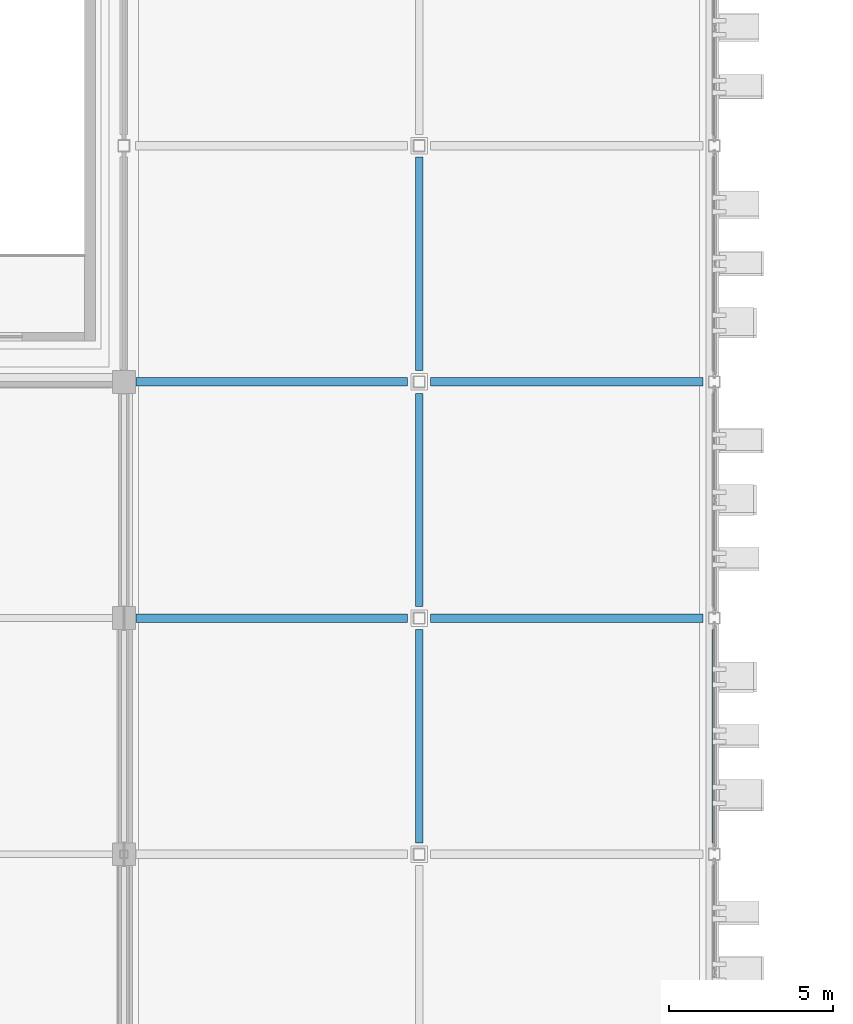
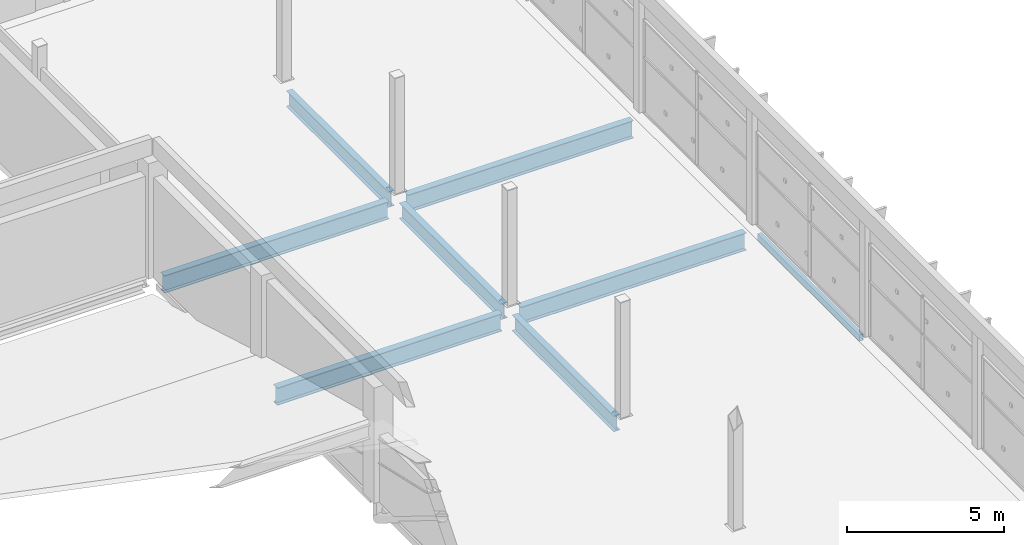
# One storey, part 53 of 124: 8 beams.
"""IFC4 building model written with IfcOpenShell, lengths in metres."""

from ifc_helpers import new_model, si_unit, direction, frame, origin, origin_2d, place, context, subcontext, project, spatial, hollow_rectangle, i_section, extrude, material, material_profile, profile_set, type_object, element, save


model = new_model("IFC4")

# Units and contexts
model_context = context("Model", 3, precision=1e-05, world=origin(), true_north=direction((0.0, 1.0)))
body_context = subcontext(model_context, "Body", "Model", "MODEL_VIEW")
ifc_project = project(units=[si_unit("LENGTHUNIT", "METRE"), si_unit("AREAUNIT", "SQUARE_METRE"), si_unit("VOLUMEUNIT", "CUBIC_METRE"), si_unit("PLANEANGLEUNIT", "RADIAN"), si_unit("MASSUNIT", "GRAM", prefix="KILO")], contexts=[model_context])

# Site, building, storey
site_placement = place(None, origin())
site = spatial("IfcSite", under=ifc_project, at=site_placement, CompositionType="ELEMENT")
building_placement = place(site_placement, origin())
building = spatial("IfcBuilding", under=site, at=building_placement, Name="Celestram Park Convention Centre", CompositionType="ELEMENT")
storey_placement = place(building_placement, frame((0.0, 0.0, 15.300048828125)))
storey = spatial("IfcBuildingStorey", under=building, at=storey_placement, Name="L03", CompositionType="ELEMENT", Elevation=15.300048828125)

# Beams
ifc_material_1 = material(Name="Steel ASTM A992 Grade 50", Category="steel")
ifc_material_profile_1 = material_profile(ifc_material_1, i_section(OverallWidth=0.22900390625, OverallDepth=0.612060546875, WebThickness=0.011962890625, FlangeThickness=0.01953125, at=origin_2d()), Name="W24X84")
ifc_profile_set_1 = profile_set([ifc_material_profile_1], Name="Steel ASTM A992 Grade 50")
beam_type_1 = type_object("IfcBeamType", Name="STR-BM-W24X84", PredefinedType="BEAM", material=ifc_profile_set_1)
beam_1_placement = place(storey_placement, frame((135.0, 93.947998046875, -0.55615234375), z_axis=(0.0, 1.0, 0.0), x_axis=(-1.0, 0.0, 0.0)))
element("IfcBeam", 1, at=beam_1_placement, inside=storey, type_object=beam_type_1, Name="Primary Y-girder BG-L03-0197", PredefinedType="BEAM", context=body_context, shape_type="SweptSolid", body=[
    extrude(i_section(OverallWidth=0.22900390625, OverallDepth=0.612060546875, WebThickness=0.011962890625, FlangeThickness=0.01953125, at=origin_2d()), origin(), (0.0, 0.0, 1.0), 6.50390625),
])
for number, where, z_axis, x_axis, name in (
    (2, (135.0, 101.14794921875, -0.55615234375), (0.0, 1.0, 0.0), (-1.0, 0.0, 0.0), "Primary Y-girder BG-L03-0199"),
    (3, (135.0, 108.347900390625, -0.55615234375), (0.0, 1.0, 0.0), (-1.0, 0.0, 0.0), "Primary Y-girder BG-L03-0201"),
):
    element("IfcBeam", number, at=place(storey_placement, frame(where, z_axis=z_axis, x_axis=x_axis)), inside=storey, type_object=beam_type_1, Name=name, PredefinedType="BEAM", context=body_context, shape_type="SweptSolid", body=[
        extrude(i_section(OverallWidth=0.22900390625, OverallDepth=0.612060546875, WebThickness=0.011962890625, FlangeThickness=0.01953125, at=origin_2d()), origin(), (0.0, 0.0, 1.0), 6.504150390625),
    ])
ifc_material_profile_2 = material_profile(ifc_material_1, i_section(OverallWidth=0.25390625, OverallDepth=0.68310546875, WebThickness=0.012451171875, FlangeThickness=0.01904296875, at=origin_2d()), Name="W27X94")
ifc_profile_set_2 = profile_set([ifc_material_profile_2], Name="Steel ASTM A992 Grade 50")
beam_type_2 = type_object("IfcBeamType", Name="STR-BM-W27X94", PredefinedType="BEAM", material=ifc_profile_set_2)
for number, where, z_axis, x_axis, name in (
    (4, (126.373046875, 100.800048828125, -0.591552734375), (1.0, 0.0, 0.0), (0.0, 1.0, 0.0), "Primary X-girder BG-L03-0164"),
    (5, (126.373046875, 108.0, -0.591552734375), (1.0, 0.0, 0.0), (0.0, 1.0, 0.0), "Primary X-girder BG-L03-0166"),
):
    element("IfcBeam", number, at=place(storey_placement, frame(where, z_axis=z_axis, x_axis=x_axis)), inside=storey, type_object=beam_type_2, Name=name, PredefinedType="BEAM", context=body_context, shape_type="SweptSolid", body=[
        extrude(i_section(OverallWidth=0.25390625, OverallDepth=0.68310546875, WebThickness=0.012451171875, FlangeThickness=0.01904296875, at=origin_2d()), origin(), (0.0, 0.0, 1.0), 8.279052734375),
    ])
for number, where, z_axis, x_axis, name in (
    (6, (135.347900390625, 100.800048828125, -0.591552734375), (1.0, 0.0, 0.0), (0.0, 1.0, 0.0), "Primary X-girder BG-L03-0198"),
    (7, (135.347900390625, 108.0, -0.591552734375), (1.0, 0.0, 0.0), (0.0, 1.0, 0.0), "Primary X-girder BG-L03-0200"),
):
    element("IfcBeam", number, at=place(storey_placement, frame(where, z_axis=z_axis, x_axis=x_axis)), inside=storey, type_object=beam_type_2, Name=name, PredefinedType="BEAM", context=body_context, shape_type="SweptSolid", body=[
        extrude(i_section(OverallWidth=0.25390625, OverallDepth=0.68310546875, WebThickness=0.012451171875, FlangeThickness=0.01904296875, at=origin_2d()), origin(), (0.0, 0.0, 1.0), 8.30419921875),
    ])
ifc_material_2 = material(Name="Steel ASTM A500 Grade C", Category="steel")
ifc_material_profile_3 = material_profile(ifc_material_2, hollow_rectangle(XDim=0.14990234375, YDim=0.25, WallThickness=0.010009765625, at=origin_2d()), Name="HSS250X150X10")
ifc_profile_set_3 = profile_set([ifc_material_profile_3], Name="Steel ASTM A500 Grade C")
beam_type_3 = type_object("IfcBeamType", Name="STR-SPN-HSS250X150", PredefinedType="SPANDREL", material=ifc_profile_set_3)
beam_2_placement = place(storey_placement, frame((144.0, 93.947998046875, -0.375), z_axis=(0.0, 1.0, 0.0), x_axis=(-1.0, 0.0, 0.0)))
element("IfcBeam", 8, at=beam_2_placement, inside=storey, type_object=beam_type_3, Name="Primary Y-girder BG-L03-0231", PredefinedType="SPANDREL", context=body_context, shape_type="SweptSolid", body=[
    extrude(hollow_rectangle(XDim=0.14990234375, YDim=0.25, WallThickness=0.010009765625, at=origin_2d()), origin(), (0.0, 0.0, 1.0), 6.50390625),
])

save(model, "model.ifc")
